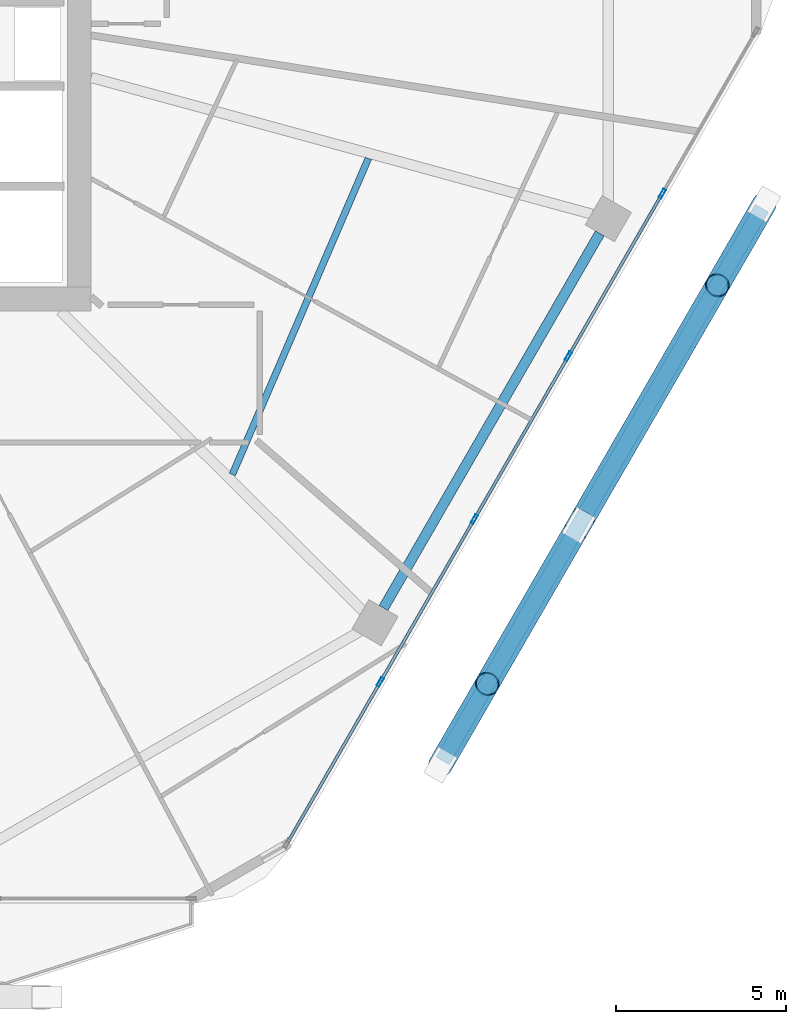
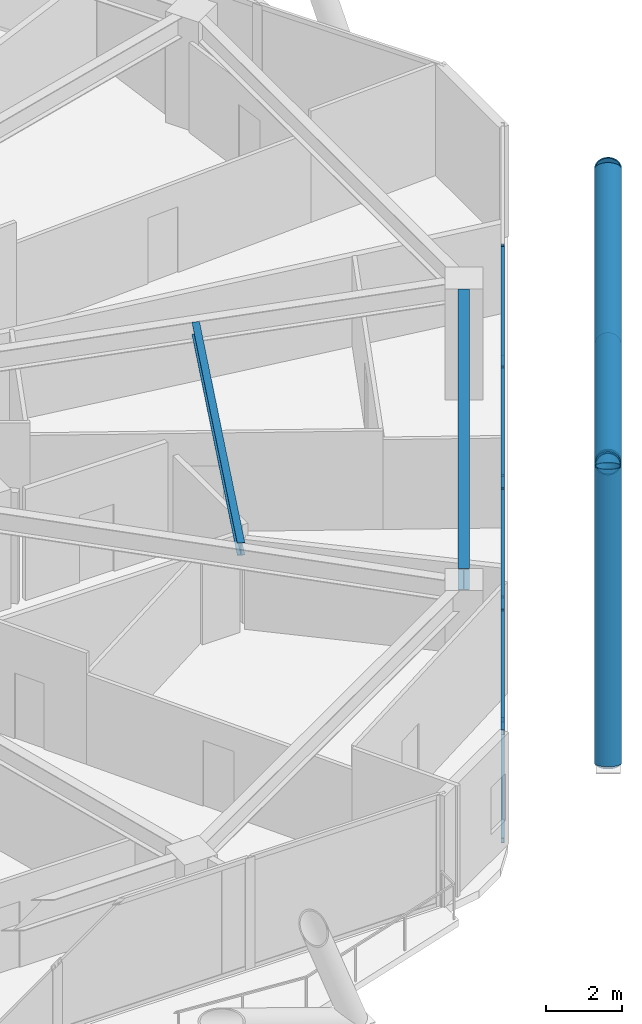
# One storey, part 8 of 29: 18 members, 2 beams, 1 element without a shape of its own.
"""IFC4 building model written with IfcOpenShell, lengths in metres."""

import ifcopenshell
import ifcopenshell.guid

model = None  # the IFC model being written
_history = None  # IfcOwnerHistory: only IFC2X3 demands one
_inside = {}  # id of a spatial element -> (the spatial element, [elements in it])
_under = {}  # id of a project, library or spatial element -> (it, [spatial elements below it])
_declared = {}  # id of a project -> (the project, [libraries it declares])
_typed = {}  # id of a type object -> (the type object, [elements of that type])
_made_of = {}  # id of a material, layer set ... -> (it, [elements and type objects made of it])


def new_model(schema):
    """Start an empty IFC model of exactly this schema.

    Asked for "IFC4X3", IfcOpenShell would pick the latest addendum, in which some entities
    have other attributes; the version numbers below select the first issue.
    IFC2X3 requires an IfcOwnerHistory on every rooted entity: one is made here for all.
    """
    global model, _history
    if schema == "IFC4X3":
        model = ifcopenshell.file(schema_version=(4, 3, 0, 0))
    else:
        model = ifcopenshell.file(schema=schema)
    _inside.clear()
    _under.clear()
    _declared.clear()
    _typed.clear()
    _made_of.clear()
    _history = None
    if model.schema == "IFC2X3":
        org = make("IfcOrganization", Name="unknown")
        user = make(
            "IfcPersonAndOrganization",
            ThePerson=make("IfcPerson", FamilyName="unknown"),
            TheOrganization=org,
        )
        app = make(
            "IfcApplication",
            ApplicationDeveloper=org,
            Version="unknown",
            ApplicationFullName="unknown",
            ApplicationIdentifier="unknown",
        )
        _history = make(
            "IfcOwnerHistory",
            OwningUser=user,
            OwningApplication=app,
            ChangeAction="ADDED",
            CreationDate=0,
        )
    return model


def make(cls, **values):
    """One entity of the class cls with the attributes given. An attribute that is None is left unset."""
    return model.create_entity(
        cls, **{name: value for name, value in values.items() if value is not None}
    )


def rooted(cls, **values):
    """An entity with a GlobalId (a new one), such as an element, a storey or a relation."""
    return make(cls, GlobalId=ifcopenshell.guid.new(), OwnerHistory=_history, **values)


def si_unit(unit_type, name, prefix=None):
    """IfcSIUnit, for example si_unit("LENGTHUNIT", "METRE", prefix="MILLI")."""
    return make("IfcSIUnit", UnitType=unit_type, Prefix=prefix, Name=name)


def assignment(units):
    """IfcUnitAssignment: the units of a project."""
    return None if units is None else make("IfcUnitAssignment", Units=units)


def point(xyz):
    """IfcCartesianPoint."""
    return None if xyz is None else make("IfcCartesianPoint", Coordinates=xyz)


def direction(xyz):
    """IfcDirection."""
    return None if xyz is None else make("IfcDirection", DirectionRatios=xyz)


def frame(location, z_axis=None, x_axis=None):
    """IfcAxis2Placement3D, a coordinate frame: its origin and axes. An axis left out is left unset."""
    return make(
        "IfcAxis2Placement3D",
        Location=point(location),
        Axis=direction(z_axis),
        RefDirection=direction(x_axis),
    )


def frame_2d(location, x_axis=None):
    """IfcAxis2Placement2D, a coordinate frame in the plane: its origin and x axis."""
    return make(
        "IfcAxis2Placement2D", Location=point(location), RefDirection=direction(x_axis)
    )


def origin():
    """The frame at (0, 0, 0) with its axes left unset."""
    return frame((0.0, 0.0, 0.0))


def origin_2d():
    """The frame at (0, 0) in the plane with its x axis left unset."""
    return frame_2d((0.0, 0.0))


def place(relative_to, where):
    """IfcLocalPlacement: puts the frame where relative to a parent placement (None: the world)."""
    return make(
        "IfcLocalPlacement", PlacementRelTo=relative_to, RelativePlacement=where
    )


def context(
    kind, dimensions, precision=None, world=None, true_north=None, identifier=None
):
    """IfcGeometricRepresentationContext, for example the 3D "Model" context."""
    return make(
        "IfcGeometricRepresentationContext",
        ContextIdentifier=identifier,
        ContextType=kind,
        CoordinateSpaceDimension=dimensions,
        Precision=precision,
        WorldCoordinateSystem=world,
        TrueNorth=true_north,
    )


def subcontext(parent, identifier, kind, view, scale=None):
    """IfcGeometricRepresentationSubContext, for example "Body" below "Model"."""
    return make(
        "IfcGeometricRepresentationSubContext",
        ContextIdentifier=identifier,
        ContextType=kind,
        ParentContext=parent,
        TargetScale=scale,
        TargetView=view,
    )


def project(units=None, contexts=None):
    """IfcProject with its units and contexts."""
    return rooted(
        "IfcProject",
        Name="project",
        RepresentationContexts=contexts,
        UnitsInContext=assignment(units),
    )


def spatial(cls, under=None, at=None, **own):
    """A site, building, storey or space (cls), placed at a placement, below another one or the project."""
    s = rooted(cls, ObjectPlacement=at, **own)
    if under is not None:
        _under.setdefault(under.id(), (under, []))[1].append(s)
    return s


def profile(cls, at=None, kind="AREA", **sizes):
    """A parametric profile (cls). Its sizes go by their IFC names, for example OverallWidth=200.0."""
    return make(cls, ProfileType=kind, Position=at, **sizes)


def hollow_rectangle(**sizes):
    """IfcRectangleHollowProfileDef."""
    return profile("IfcRectangleHollowProfileDef", **sizes)


def hollow_circle(**sizes):
    """IfcCircleHollowProfileDef."""
    return profile("IfcCircleHollowProfileDef", **sizes)


def i_section(**sizes):
    """IfcIShapeProfileDef."""
    return profile("IfcIShapeProfileDef", **sizes)


def extrude(swept, where, along, depth):
    """IfcExtrudedAreaSolid: the profile swept, set in the frame where, extruded along a direction by depth."""
    return make(
        "IfcExtrudedAreaSolid",
        SweptArea=swept,
        Position=where,
        ExtrudedDirection=direction(along),
        Depth=depth,
    )


def shape(context_of_items, identifier, shape_type, items):
    """IfcShapeRepresentation: the items that make up one representation, for example the "Body"."""
    return make(
        "IfcShapeRepresentation",
        ContextOfItems=context_of_items,
        RepresentationIdentifier=identifier,
        RepresentationType=shape_type,
        Items=items,
    )


def material(Name=None, Category=None):
    """IfcMaterial."""
    return make("IfcMaterial", Name=Name, Category=Category)


def material_profile(
    of_material, cross_section, Name=None, Category=None, Priority=None
):
    """IfcMaterialProfile: a cross section and its material."""
    return make(
        "IfcMaterialProfile",
        Name=Name,
        Material=of_material,
        Profile=cross_section,
        Priority=Priority,
        Category=Category,
    )


def profile_set(profiles, Name=None, composite=None):
    """IfcMaterialProfileSet."""
    return make(
        "IfcMaterialProfileSet",
        Name=Name,
        MaterialProfiles=profiles,
        CompositeProfile=composite,
    )


def made_of(thing, what):
    """Note that an element or type object is made of a material, layer set ...; save() writes the relation."""
    if what is not None:
        _made_of.setdefault(what.id(), (what, []))[1].append(thing)
    return thing


def type_object(cls, material=None, **own):
    """A type object (cls), such as IfcWallType, which elements share."""
    return made_of(rooted(cls, **own), material)


def element(
    cls,
    number,
    at=None,
    inside=None,
    cuts=None,
    type_object=None,
    material=None,
    context=None,
    identifier="Body",
    shape_type=None,
    held_by="IfcProductDefinitionShape",
    body=None,
    shapes=None,
    **own,
):
    """One element of the class cls, such as IfcWall. Its Tag is "e" and its number.

    at: its placement. inside: the storey or other place that contains it. cuts: it is an
    opening in that element (IfcRelVoidsElement). A single representation is given by context,
    identifier, shape_type and body (its items); several are given by shapes. held_by: the class
    of the entity that holds the representations. save() writes the other relations.
    """
    e = rooted(cls, Tag="e%d" % number, ObjectPlacement=at, **own)
    if body is not None:
        shapes = [shape(context, identifier, shape_type, body)]
    if shapes is not None:
        e.Representation = make(held_by, Representations=shapes)
    if inside is not None:
        _inside.setdefault(inside.id(), (inside, []))[1].append(e)
    if cuts is not None:
        rooted(
            "IfcRelVoidsElement", RelatingBuildingElement=cuts, RelatedOpeningElement=e
        )
    if type_object is not None:
        _typed.setdefault(type_object.id(), (type_object, []))[1].append(e)
    return made_of(e, material)


def aggregate(whole, parts):
    """IfcRelAggregates: a whole, such as a stair, and the parts it consists of."""
    return rooted("IfcRelAggregates", RelatingObject=whole, RelatedObjects=parts)


def save(model, path):
    """Write the relations noted so far, then the file.

    IfcRelAggregates (storeys below a building ...), IfcRelContainedInSpatialStructure (elements
    in a storey), IfcRelDefinesByType, IfcRelAssociatesMaterial and IfcRelDeclares: one each for
    every whole, place, type object, material and project.
    """
    for whole, parts in _under.values():
        aggregate(whole, parts)
    for where, things in _inside.values():
        rooted(
            "IfcRelContainedInSpatialStructure",
            RelatedElements=things,
            RelatingStructure=where,
        )
    for kind, things in _typed.values():
        rooted("IfcRelDefinesByType", RelatedObjects=things, RelatingType=kind)
    for what, things in _made_of.values():
        rooted("IfcRelAssociatesMaterial", RelatedObjects=things, RelatingMaterial=what)
    for by, libraries in _declared.values():
        rooted("IfcRelDeclares", RelatingContext=by, RelatedDefinitions=libraries)
    model.write(path)


model = new_model("IFC4")

# Units and contexts
model_context = context("Model", 3, precision=1e-05, world=origin(), true_north=direction((0.0, 1.0)))
body_context = subcontext(model_context, "Body", "Model", "MODEL_VIEW")
ifc_project = project(units=[si_unit("LENGTHUNIT", "METRE"), si_unit("AREAUNIT", "SQUARE_METRE"), si_unit("VOLUMEUNIT", "CUBIC_METRE"), si_unit("PLANEANGLEUNIT", "RADIAN"), si_unit("MASSUNIT", "GRAM", prefix="KILO")], contexts=[model_context])

# Site, building, storey
site_placement = place(None, origin())
site = spatial("IfcSite", under=ifc_project, at=site_placement, CompositionType="ELEMENT")
building_placement = place(site_placement, origin())
building = spatial("IfcBuilding", under=site, at=building_placement, Name="Zuhravey Tower", CompositionType="ELEMENT")
storey_placement = place(building_placement, frame((0.0, 0.0, 161.800048828125)))
storey = spatial("IfcBuildingStorey", under=building, at=storey_placement, Name="L40", CompositionType="ELEMENT", Elevation=161.800048828125)

# Curtain wall, members
ifc_material_1 = material(Name="Thermally broken anodised aluminium", Category="aluminium")
curtain_wall_type = type_object("IfcCurtainWallType", Name="Zone 1-2 Residential Curtain Wall CW3", PredefinedType="NOTDEFINED", material=ifc_material_1)
curtain_wall_placement = place(storey_placement, origin())
curtain_wall = element("IfcCurtainWall", 1, at=curtain_wall_placement, inside=storey, type_object=curtain_wall_type, Name="L40 CW3 CW-L40-F6-1", PredefinedType="NOTDEFINED")
ifc_material_2 = material(Name="Anodised aluminium", Category="aluminium")
ifc_material_profile_1 = material_profile(ifc_material_2, hollow_rectangle(XDim=0.090087890625, YDim=0.284912109375, WallThickness=0.0048828125, at=origin_2d()), Name="ALU-RHS-90x285x5")
ifc_profile_set_1 = profile_set([ifc_material_profile_1], Name="Anodised aluminium")
member_type_1 = type_object("IfcMemberType", Name="Curtain-Wall Mullion 90x180", PredefinedType="MULLION", material=ifc_profile_set_1)
member_1_placement = place(storey_placement, frame((63.699462890625, 25.61083984375, 0.0), z_axis=(0.0, 0.0, 1.0), x_axis=(0.866025138215, -0.500000459979, 0.0)))
member_1 = element("IfcMember", 2, at=member_1_placement, type_object=member_type_1, Name="CW3 mullion 2", PredefinedType="MULLION", context=body_context, shape_type="SweptSolid", body=[
    extrude(hollow_rectangle(XDim=0.090087890625, YDim=0.284912109375, WallThickness=0.0048828125, at=origin_2d()), origin(), (0.0, 0.0, 1.0), 3.550048828125),
])
member_2_placement = place(storey_placement, frame((60.92724609375, 20.809326171875, 0.0), z_axis=(0.0, 0.0, 1.0), x_axis=(0.866025138215, -0.500000459979, 0.0)))
member_2 = element("IfcMember", 3, at=member_2_placement, type_object=member_type_1, Name="CW3 mullion 3", PredefinedType="MULLION", context=body_context, shape_type="SweptSolid", body=[
    extrude(hollow_rectangle(XDim=0.090087890625, YDim=0.284912109375, WallThickness=0.0048828125, at=origin_2d()), origin(), (0.0, 0.0, 1.0), 3.550048828125),
])
member_3_placement = place(storey_placement, frame((58.155029296875, 16.007568359375, 0.0), z_axis=(0.0, 0.0, 1.0), x_axis=(0.866025138215, -0.500000459979, 0.0)))
member_3 = element("IfcMember", 4, at=member_3_placement, type_object=member_type_1, Name="CW3 mullion 4", PredefinedType="MULLION", context=body_context, shape_type="SweptSolid", body=[
    extrude(hollow_rectangle(XDim=0.090087890625, YDim=0.284912109375, WallThickness=0.0048828125, at=origin_2d()), origin(), (0.0, 0.0, 1.0), 3.550048828125),
])
member_4_placement = place(storey_placement, frame((55.3828125, 11.2060546875, 0.0), z_axis=(0.0, 0.0, 1.0), x_axis=(0.866025138215, -0.500000459979, 0.0)))
member_4 = element("IfcMember", 5, at=member_4_placement, type_object=member_type_1, Name="CW3 mullion 5", PredefinedType="MULLION", context=body_context, shape_type="SweptSolid", body=[
    extrude(hollow_rectangle(XDim=0.090087890625, YDim=0.284912109375, WallThickness=0.0048828125, at=origin_2d()), origin(), (0.0, 0.0, 1.0), 3.550048828125),
])
ifc_material_profile_2 = material_profile(ifc_material_2, hollow_rectangle(XDim=0.090087890625, YDim=0.14990234375, WallThickness=0.0048828125, at=origin_2d()), Name="ALU-RHS-90x150x5")
ifc_profile_set_2 = profile_set([ifc_material_profile_2], Name="Anodised aluminium")
member_type_2 = type_object("IfcMemberType", Name="Curtain-Wall Transom 90x150", PredefinedType="USERDEFINED", material=ifc_profile_set_2)
member_5_placement = place(storey_placement, frame((63.677001953125, 25.572021484375, 0.044921875), z_axis=(-0.49996138257, -0.86604769842, 0.0), x_axis=(0.86604769842, -0.49996138257, 0.0)))
member_5 = element("IfcMember", 6, at=member_5_placement, type_object=member_type_2, Name="CW3 transom 2.1", ObjectType="TRANSOM", PredefinedType="USERDEFINED", context=body_context, shape_type="SweptSolid", body=[
    extrude(hollow_rectangle(XDim=0.090087890625, YDim=0.14990234375, WallThickness=0.0048828125, at=origin_2d()), origin(), (0.0, 0.0, 1.0), 5.45458984375),
])
member_6_placement = place(storey_placement, frame((63.677001953125, 25.572021484375, 3.5048828125), z_axis=(-0.49996138257, -0.86604769842, 0.0), x_axis=(0.86604769842, -0.49996138257, 0.0)))
member_6 = element("IfcMember", 7, at=member_6_placement, type_object=member_type_2, Name="CW3 transom 2.2", ObjectType="TRANSOM", PredefinedType="USERDEFINED", context=body_context, shape_type="SweptSolid", body=[
    extrude(hollow_rectangle(XDim=0.090087890625, YDim=0.14990234375, WallThickness=0.0048828125, at=origin_2d()), origin(), (0.0, 0.0, 1.0), 5.45458984375),
])
member_7_placement = place(storey_placement, frame((60.90478515625, 20.770263671875, 0.044921875), z_axis=(-0.499980763544, -0.866036509673, 0.0), x_axis=(0.866036509673, -0.499980763544, 0.0)))
member_7 = element("IfcMember", 8, at=member_7_placement, type_object=member_type_2, Name="CW3 transom 3.1", ObjectType="TRANSOM", PredefinedType="USERDEFINED", context=body_context, shape_type="SweptSolid", body=[
    extrude(hollow_rectangle(XDim=0.090087890625, YDim=0.14990234375, WallThickness=0.0048828125, at=origin_2d()), origin(), (0.0, 0.0, 1.0), 5.454345703125),
])
member_8_placement = place(storey_placement, frame((60.90478515625, 20.770263671875, 3.5048828125), z_axis=(-0.499980763544, -0.866036509673, 0.0), x_axis=(0.866036509673, -0.499980763544, 0.0)))
member_8 = element("IfcMember", 9, at=member_8_placement, type_object=member_type_2, Name="CW3 transom 3.2", ObjectType="TRANSOM", PredefinedType="USERDEFINED", context=body_context, shape_type="SweptSolid", body=[
    extrude(hollow_rectangle(XDim=0.090087890625, YDim=0.14990234375, WallThickness=0.0048828125, at=origin_2d()), origin(), (0.0, 0.0, 1.0), 5.454345703125),
])
member_9_placement = place(storey_placement, frame((58.132568359375, 15.96875, 0.044921875), z_axis=(-0.49996138257, -0.86604769842, 0.0), x_axis=(0.86604769842, -0.49996138257, 0.0)))
member_9 = element("IfcMember", 10, at=member_9_placement, type_object=member_type_2, Name="CW3 transom 4.1", ObjectType="TRANSOM", PredefinedType="USERDEFINED", context=body_context, shape_type="SweptSolid", body=[
    extrude(hollow_rectangle(XDim=0.090087890625, YDim=0.14990234375, WallThickness=0.0048828125, at=origin_2d()), origin(), (0.0, 0.0, 1.0), 5.45458984375),
])
member_10_placement = place(storey_placement, frame((58.132568359375, 15.96875, 3.5048828125), z_axis=(-0.49996138257, -0.86604769842, 0.0), x_axis=(0.86604769842, -0.49996138257, 0.0)))
member_10 = element("IfcMember", 11, at=member_10_placement, type_object=member_type_2, Name="CW3 transom 4.2", ObjectType="TRANSOM", PredefinedType="USERDEFINED", context=body_context, shape_type="SweptSolid", body=[
    extrude(hollow_rectangle(XDim=0.090087890625, YDim=0.14990234375, WallThickness=0.0048828125, at=origin_2d()), origin(), (0.0, 0.0, 1.0), 5.45458984375),
])
member_11_placement = place(storey_placement, frame((55.3603515625, 11.1669921875, 0.044921875), z_axis=(-0.499993332629, -0.866029253159, 0.0), x_axis=(0.866029253159, -0.499993332629, 0.0)))
member_11 = element("IfcMember", 12, at=member_11_placement, type_object=member_type_2, Name="CW3 transom 5.1", ObjectType="TRANSOM", PredefinedType="USERDEFINED", context=body_context, shape_type="SweptSolid", body=[
    extrude(hollow_rectangle(XDim=0.090087890625, YDim=0.14990234375, WallThickness=0.0048828125, at=origin_2d()), origin(), (0.0, 0.0, 1.0), 5.4091796875),
])
member_12_placement = place(storey_placement, frame((55.3603515625, 11.1669921875, 3.5048828125), z_axis=(-0.499993332629, -0.866029253159, 0.0), x_axis=(0.866029253159, -0.499993332629, 0.0)))
member_12 = element("IfcMember", 13, at=member_12_placement, type_object=member_type_2, Name="CW3 transom 5.2", ObjectType="TRANSOM", PredefinedType="USERDEFINED", context=body_context, shape_type="SweptSolid", body=[
    extrude(hollow_rectangle(XDim=0.090087890625, YDim=0.14990234375, WallThickness=0.0048828125, at=origin_2d()), origin(), (0.0, 0.0, 1.0), 5.4091796875),
])
aggregate(curtain_wall, [member_1, member_2, member_3, member_4, member_5, member_6, member_7, member_8, member_9, member_10, member_11, member_12])

# Members
ifc_material_3 = material(Name="Steel SM355", Category="steel")
ifc_material_profile_3 = material_profile(ifc_material_3, hollow_circle(Radius=0.228515625, WallThickness=0.02197265625, at=origin_2d()), Name="CHS-457.2x22")
ifc_profile_set_3 = profile_set([ifc_material_profile_3], Name="Steel SM355")
member_type_3 = type_object("IfcMemberType", Name="Exoskeleton Ring Tie CHS457x22", PredefinedType="CHORD", material=ifc_profile_set_3)
member_13_placement = place(storey_placement, frame((57.22412109375, 8.874755859375, -0.464111328125), z_axis=(0.499989194203, 0.866031642424, 0.0), x_axis=(-0.866031642424, 0.499989194203, 0.0)))
element("IfcMember", 14, at=member_13_placement, inside=storey, type_object=member_type_3, Name="L40 Exoskeleton Face 6 Tie EXR1", PredefinedType="CHORD", context=body_context, shape_type="SweptSolid", body=[
    extrude(hollow_circle(Radius=0.228515625, WallThickness=0.02197265625, at=origin_2d()), origin(), (0.0, 0.0, 1.0), 18.830078125),
])
ifc_material_4 = material(Name="Steel SM460", Category="steel")
ifc_material_profile_4 = material_profile(ifc_material_4, hollow_circle(Radius=0.355712890625, WallThickness=0.031982421875, at=origin_2d()), Name="CHS-711.2x32")
ifc_profile_set_4 = profile_set([ifc_material_profile_4], Name="Steel SM460")
member_type_4 = type_object("IfcMemberType", Name="Exoskeleton Zone 2 Diagrid CHS711x32", PredefinedType="BRACE", material=ifc_profile_set_4)
member_14_placement = place(storey_placement, frame((57.15771484375, 8.760009765625, -0.444091796875), z_axis=(0.171428917165, 0.296929081792, 0.939385568734), x_axis=(-0.866029404905, 0.499993069792, 0.0)))
element("IfcMember", 15, at=member_14_placement, inside=storey, type_object=member_type_4, Name="L40 Face 6 Diagrid Brace 1", PredefinedType="BRACE", context=body_context, shape_type="SweptSolid", body=[
    extrude(hollow_circle(Radius=0.355712890625, WallThickness=0.031982421875, at=origin_2d()), origin(), (0.0, 0.0, 1.0), 8.0478515625),
])
member_15_placement = place(storey_placement, frame((57.175537109375, 8.790771484375, -0.444091796875), z_axis=(0.453338388553, 0.785209877744, 0.421817203724), x_axis=(-0.866026715089, 0.499997728747, 0.0)))
element("IfcMember", 16, at=member_15_placement, inside=storey, type_object=member_type_4, Name="L40 Face 6 Diagrid Brace 2", PredefinedType="BRACE", context=body_context, shape_type="SweptSolid", body=[
    extrude(hollow_circle(Radius=0.355712890625, WallThickness=0.031982421875, at=origin_2d()), origin(), (0.0, 0.0, 1.0), 17.922607421875),
])
member_16_placement = place(storey_placement, frame((66.705322265625, 25.296875, -0.444091796875), z_axis=(-0.171428917165, -0.296929081792, 0.939385568734), x_axis=(0.866029404905, -0.499993069792, 0.0)))
element("IfcMember", 17, at=member_16_placement, inside=storey, type_object=member_type_4, Name="L40 Face 6 Diagrid Brace 4", PredefinedType="BRACE", context=body_context, shape_type="SweptSolid", body=[
    extrude(hollow_circle(Radius=0.355712890625, WallThickness=0.031982421875, at=origin_2d()), origin(), (0.0, 0.0, 1.0), 8.0478515625),
])
member_17_placement = place(storey_placement, frame((66.6865234375, 25.264404296875, -0.448486328125), z_axis=(-0.472328200199, -0.818092776704, 0.328070541198), x_axis=(0.866024434144, -0.500001679462, 0.0)))
element("IfcMember", 18, at=member_17_placement, inside=storey, type_object=member_type_4, Name="L40 Face 6 Split Diagrid Brace 3A", PredefinedType="BRACE", context=body_context, shape_type="SweptSolid", body=[
    extrude(hollow_circle(Radius=0.355712890625, WallThickness=0.031982421875, at=origin_2d()), origin(), (0.0, 0.0, 1.0), 11.190185546875),
])
member_18_placement = place(storey_placement, frame((61.0966796875, 15.58251953125, 3.534912109375), z_axis=(-0.408754040359, -0.707971912813, 0.575930469032), x_axis=(0.866022084834, -0.500005748546, 0.0)))
element("IfcMember", 19, at=member_18_placement, inside=storey, type_object=member_type_4, Name="L40 Face 6 Split Diagrid Brace 3B", PredefinedType="BRACE", context=body_context, shape_type="SweptSolid", body=[
    extrude(hollow_circle(Radius=0.355712890625, WallThickness=0.031982421875, at=origin_2d()), origin(), (0.0, 0.0, 1.0), 6.205078125),
])

# Beams
ifc_material_profile_5 = material_profile(ifc_material_3, i_section(OverallWidth=0.300048828125, OverallDepth=0.679931640625, WebThickness=0.012939453125, FlangeThickness=0.02197265625, at=origin_2d()), Name="H-680x300x13x22")
ifc_profile_set_5 = profile_set([ifc_material_profile_5], Name="Steel SM355")
beam_type_1 = type_object("IfcBeamType", Name="Perimeter Ring Beam H680x300", PredefinedType="BEAM", material=ifc_profile_set_5)
beam_1_placement = place(storey_placement, frame((55.47705078125, 13.388916015625, 3.2099609375), z_axis=(0.499997974489, 0.866026573211, 0.0), x_axis=(-0.866026573211, 0.499997974489, 0.0)))
element("IfcBeam", 20, at=beam_1_placement, inside=storey, type_object=beam_type_1, Name="L40 PB2 BM-L40-PB-11", PredefinedType="BEAM", context=body_context, shape_type="SweptSolid", body=[
    extrude(i_section(OverallWidth=0.300048828125, OverallDepth=0.679931640625, WebThickness=0.012939453125, FlangeThickness=0.02197265625, at=origin_2d()), origin(), (0.0, 0.0, 1.0), 12.75830078125),
])
ifc_material_profile_6 = material_profile(ifc_material_3, i_section(OverallWidth=0.199951171875, OverallDepth=0.39990234375, WebThickness=0.008056640625, FlangeThickness=0.012939453125, at=origin_2d()), Name="H-400x200x8x13")
ifc_profile_set_6 = profile_set([ifc_material_profile_6], Name="Steel SM355")
beam_type_2 = type_object("IfcBeamType", Name="Secondary Floor Joist H400x200", PredefinedType="JOIST", material=ifc_profile_set_6)
beam_2_placement = place(storey_placement, frame((51.017578125, 17.323974609375, 3.349853515625), z_axis=(0.395265853487, 0.918566766799, 0.0), x_axis=(-0.918566766799, 0.395265853487, 0.0)))
element("IfcBeam", 21, at=beam_2_placement, inside=storey, type_object=beam_type_2, Name="L40 SJ2 BM-L40-SJ-11-1", PredefinedType="JOIST", context=body_context, shape_type="SweptSolid", body=[
    extrude(i_section(OverallWidth=0.199951171875, OverallDepth=0.39990234375, WebThickness=0.008056640625, FlangeThickness=0.012939453125, at=origin_2d()), origin(), (0.0, 0.0, 1.0), 10.150146484375),
])

save(model, "model.ifc")
